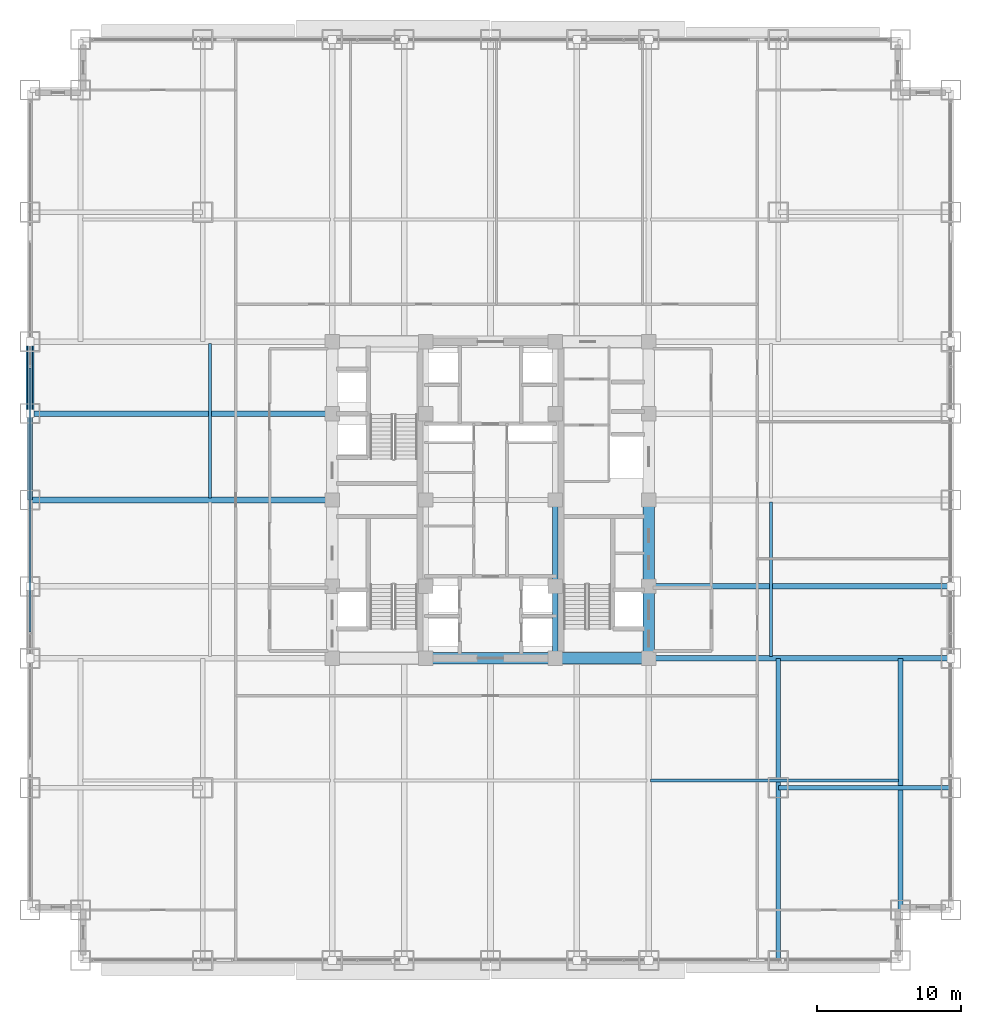
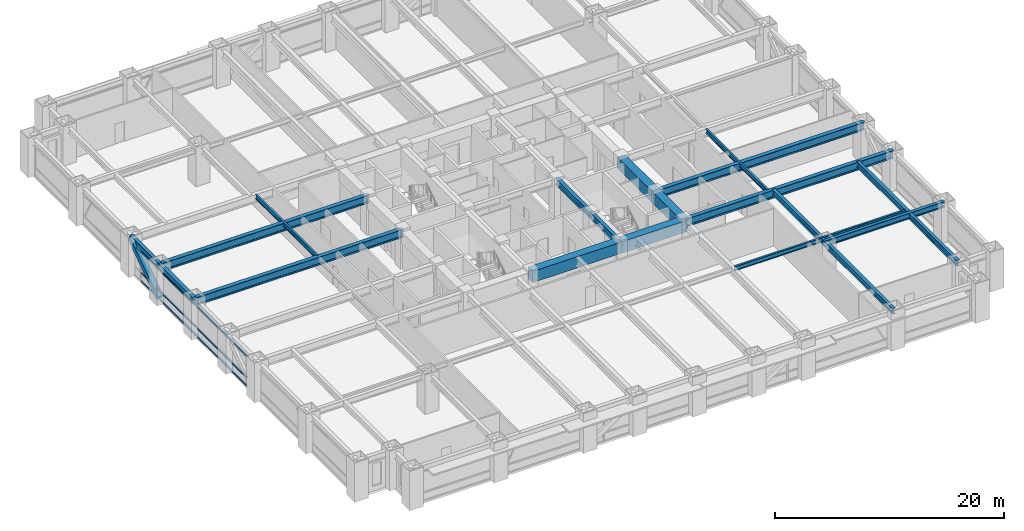
# One storey, part 11 of 31: 18 beams, 4 members, 1 element without a shape of its own.
"""IFC4 building model written with IfcOpenShell, lengths in metres."""

import ifcopenshell
import ifcopenshell.guid

model = None  # the IFC model being written
_history = None  # IfcOwnerHistory: only IFC2X3 demands one
_inside = {}  # id of a spatial element -> (the spatial element, [elements in it])
_under = {}  # id of a project, library or spatial element -> (it, [spatial elements below it])
_declared = {}  # id of a project -> (the project, [libraries it declares])
_typed = {}  # id of a type object -> (the type object, [elements of that type])
_made_of = {}  # id of a material, layer set ... -> (it, [elements and type objects made of it])


def new_model(schema):
    """Start an empty IFC model of exactly this schema.

    Asked for "IFC4X3", IfcOpenShell would pick the latest addendum, in which some entities
    have other attributes; the version numbers below select the first issue.
    IFC2X3 requires an IfcOwnerHistory on every rooted entity: one is made here for all.
    """
    global model, _history
    if schema == "IFC4X3":
        model = ifcopenshell.file(schema_version=(4, 3, 0, 0))
    else:
        model = ifcopenshell.file(schema=schema)
    _inside.clear()
    _under.clear()
    _declared.clear()
    _typed.clear()
    _made_of.clear()
    _history = None
    if model.schema == "IFC2X3":
        org = make("IfcOrganization", Name="unknown")
        user = make(
            "IfcPersonAndOrganization",
            ThePerson=make("IfcPerson", FamilyName="unknown"),
            TheOrganization=org,
        )
        app = make(
            "IfcApplication",
            ApplicationDeveloper=org,
            Version="unknown",
            ApplicationFullName="unknown",
            ApplicationIdentifier="unknown",
        )
        _history = make(
            "IfcOwnerHistory",
            OwningUser=user,
            OwningApplication=app,
            ChangeAction="ADDED",
            CreationDate=0,
        )
    return model


def make(cls, **values):
    """One entity of the class cls with the attributes given. An attribute that is None is left unset."""
    return model.create_entity(
        cls, **{name: value for name, value in values.items() if value is not None}
    )


def rooted(cls, **values):
    """An entity with a GlobalId (a new one), such as an element, a storey or a relation."""
    return make(cls, GlobalId=ifcopenshell.guid.new(), OwnerHistory=_history, **values)


def si_unit(unit_type, name, prefix=None):
    """IfcSIUnit, for example si_unit("LENGTHUNIT", "METRE", prefix="MILLI")."""
    return make("IfcSIUnit", UnitType=unit_type, Prefix=prefix, Name=name)


def assignment(units):
    """IfcUnitAssignment: the units of a project."""
    return None if units is None else make("IfcUnitAssignment", Units=units)


def point(xyz):
    """IfcCartesianPoint."""
    return None if xyz is None else make("IfcCartesianPoint", Coordinates=xyz)


def direction(xyz):
    """IfcDirection."""
    return None if xyz is None else make("IfcDirection", DirectionRatios=xyz)


def frame(location, z_axis=None, x_axis=None):
    """IfcAxis2Placement3D, a coordinate frame: its origin and axes. An axis left out is left unset."""
    return make(
        "IfcAxis2Placement3D",
        Location=point(location),
        Axis=direction(z_axis),
        RefDirection=direction(x_axis),
    )


def frame_2d(location, x_axis=None):
    """IfcAxis2Placement2D, a coordinate frame in the plane: its origin and x axis."""
    return make(
        "IfcAxis2Placement2D", Location=point(location), RefDirection=direction(x_axis)
    )


def origin():
    """The frame at (0, 0, 0) with its axes left unset."""
    return frame((0.0, 0.0, 0.0))


def origin_2d():
    """The frame at (0, 0) in the plane with its x axis left unset."""
    return frame_2d((0.0, 0.0))


def place(relative_to, where):
    """IfcLocalPlacement: puts the frame where relative to a parent placement (None: the world)."""
    return make(
        "IfcLocalPlacement", PlacementRelTo=relative_to, RelativePlacement=where
    )


def context(
    kind, dimensions, precision=None, world=None, true_north=None, identifier=None
):
    """IfcGeometricRepresentationContext, for example the 3D "Model" context."""
    return make(
        "IfcGeometricRepresentationContext",
        ContextIdentifier=identifier,
        ContextType=kind,
        CoordinateSpaceDimension=dimensions,
        Precision=precision,
        WorldCoordinateSystem=world,
        TrueNorth=true_north,
    )


def subcontext(parent, identifier, kind, view, scale=None):
    """IfcGeometricRepresentationSubContext, for example "Body" below "Model"."""
    return make(
        "IfcGeometricRepresentationSubContext",
        ContextIdentifier=identifier,
        ContextType=kind,
        ParentContext=parent,
        TargetScale=scale,
        TargetView=view,
    )


def project(units=None, contexts=None):
    """IfcProject with its units and contexts."""
    return rooted(
        "IfcProject",
        Name="project",
        RepresentationContexts=contexts,
        UnitsInContext=assignment(units),
    )


def spatial(cls, under=None, at=None, **own):
    """A site, building, storey or space (cls), placed at a placement, below another one or the project."""
    s = rooted(cls, ObjectPlacement=at, **own)
    if under is not None:
        _under.setdefault(under.id(), (under, []))[1].append(s)
    return s


def profile(cls, at=None, kind="AREA", **sizes):
    """A parametric profile (cls). Its sizes go by their IFC names, for example OverallWidth=200.0."""
    return make(cls, ProfileType=kind, Position=at, **sizes)


def rectangle(**sizes):
    """IfcRectangleProfileDef."""
    return profile("IfcRectangleProfileDef", **sizes)


def hollow_rectangle(**sizes):
    """IfcRectangleHollowProfileDef."""
    return profile("IfcRectangleHollowProfileDef", **sizes)


def i_section(**sizes):
    """IfcIShapeProfileDef."""
    return profile("IfcIShapeProfileDef", **sizes)


def extrude(swept, where, along, depth):
    """IfcExtrudedAreaSolid: the profile swept, set in the frame where, extruded along a direction by depth."""
    return make(
        "IfcExtrudedAreaSolid",
        SweptArea=swept,
        Position=where,
        ExtrudedDirection=direction(along),
        Depth=depth,
    )


def shape(context_of_items, identifier, shape_type, items):
    """IfcShapeRepresentation: the items that make up one representation, for example the "Body"."""
    return make(
        "IfcShapeRepresentation",
        ContextOfItems=context_of_items,
        RepresentationIdentifier=identifier,
        RepresentationType=shape_type,
        Items=items,
    )


def source(mapping_origin, context_of_items, identifier, shape_type, items):
    """IfcRepresentationMap: a shape defined once, which mapped items show again and again."""
    return make(
        "IfcRepresentationMap",
        MappingOrigin=mapping_origin,
        MappedRepresentation=shape(context_of_items, identifier, shape_type, items),
    )


def transform(
    local_origin,
    x_axis=None,
    y_axis=None,
    z_axis=None,
    scale=None,
    scale2=None,
    scale3=None,
    uniform=True,
):
    """IfcCartesianTransformationOperator3D, or its non-uniform kind. x_axis, y_axis, z_axis: its Axis1, 2, 3."""
    if uniform:
        return make(
            "IfcCartesianTransformationOperator3D",
            Axis1=direction(x_axis),
            Axis2=direction(y_axis),
            LocalOrigin=point(local_origin),
            Scale=scale,
            Axis3=direction(z_axis),
        )
    return make(
        "IfcCartesianTransformationOperator3DnonUniform",
        Axis1=direction(x_axis),
        Axis2=direction(y_axis),
        LocalOrigin=point(local_origin),
        Scale=scale,
        Axis3=direction(z_axis),
        Scale2=scale2,
        Scale3=scale3,
    )


def mapped(mapping_source, mapping_target):
    """IfcMappedItem: shows the shape of a source again, moved by a transform."""
    return make(
        "IfcMappedItem", MappingSource=mapping_source, MappingTarget=mapping_target
    )


def material(Name=None, Category=None):
    """IfcMaterial."""
    return make("IfcMaterial", Name=Name, Category=Category)


def material_profile(
    of_material, cross_section, Name=None, Category=None, Priority=None
):
    """IfcMaterialProfile: a cross section and its material."""
    return make(
        "IfcMaterialProfile",
        Name=Name,
        Material=of_material,
        Profile=cross_section,
        Priority=Priority,
        Category=Category,
    )


def profile_set(profiles, Name=None, composite=None):
    """IfcMaterialProfileSet."""
    return make(
        "IfcMaterialProfileSet",
        Name=Name,
        MaterialProfiles=profiles,
        CompositeProfile=composite,
    )


def made_of(thing, what):
    """Note that an element or type object is made of a material, layer set ...; save() writes the relation."""
    if what is not None:
        _made_of.setdefault(what.id(), (what, []))[1].append(thing)
    return thing


def type_object(cls, material=None, **own):
    """A type object (cls), such as IfcWallType, which elements share."""
    return made_of(rooted(cls, **own), material)


def element(
    cls,
    number,
    at=None,
    inside=None,
    cuts=None,
    type_object=None,
    material=None,
    context=None,
    identifier="Body",
    shape_type=None,
    held_by="IfcProductDefinitionShape",
    body=None,
    shapes=None,
    **own,
):
    """One element of the class cls, such as IfcWall. Its Tag is "e" and its number.

    at: its placement. inside: the storey or other place that contains it. cuts: it is an
    opening in that element (IfcRelVoidsElement). A single representation is given by context,
    identifier, shape_type and body (its items); several are given by shapes. held_by: the class
    of the entity that holds the representations. save() writes the other relations.
    """
    e = rooted(cls, Tag="e%d" % number, ObjectPlacement=at, **own)
    if body is not None:
        shapes = [shape(context, identifier, shape_type, body)]
    if shapes is not None:
        e.Representation = make(held_by, Representations=shapes)
    if inside is not None:
        _inside.setdefault(inside.id(), (inside, []))[1].append(e)
    if cuts is not None:
        rooted(
            "IfcRelVoidsElement", RelatingBuildingElement=cuts, RelatedOpeningElement=e
        )
    if type_object is not None:
        _typed.setdefault(type_object.id(), (type_object, []))[1].append(e)
    return made_of(e, material)


def aggregate(whole, parts):
    """IfcRelAggregates: a whole, such as a stair, and the parts it consists of."""
    return rooted("IfcRelAggregates", RelatingObject=whole, RelatedObjects=parts)


def save(model, path):
    """Write the relations noted so far, then the file.

    IfcRelAggregates (storeys below a building ...), IfcRelContainedInSpatialStructure (elements
    in a storey), IfcRelDefinesByType, IfcRelAssociatesMaterial and IfcRelDeclares: one each for
    every whole, place, type object, material and project.
    """
    for whole, parts in _under.values():
        aggregate(whole, parts)
    for where, things in _inside.values():
        rooted(
            "IfcRelContainedInSpatialStructure",
            RelatedElements=things,
            RelatingStructure=where,
        )
    for kind, things in _typed.values():
        rooted("IfcRelDefinesByType", RelatedObjects=things, RelatingType=kind)
    for what, things in _made_of.values():
        rooted("IfcRelAssociatesMaterial", RelatedObjects=things, RelatingMaterial=what)
    for by, libraries in _declared.values():
        rooted("IfcRelDeclares", RelatingContext=by, RelatedDefinitions=libraries)
    model.write(path)


model = new_model("IFC4")

# Units and contexts
model_context = context("Model", 3, precision=1e-05, world=origin(), true_north=direction((0.0, 1.0)))
body_context = subcontext(model_context, "Body", "Model", "MODEL_VIEW")
ifc_project = project(units=[si_unit("LENGTHUNIT", "METRE"), si_unit("AREAUNIT", "SQUARE_METRE"), si_unit("VOLUMEUNIT", "CUBIC_METRE"), si_unit("PLANEANGLEUNIT", "RADIAN"), si_unit("MASSUNIT", "GRAM", prefix="KILO")], contexts=[model_context])

# Site, building, storey
site_placement = place(None, origin())
site = spatial("IfcSite", under=ifc_project, at=site_placement, CompositionType="ELEMENT")
building_placement = place(site_placement, origin())
building = spatial("IfcBuilding", under=site, at=building_placement, Name="Khorayat Bourse Tower", CompositionType="ELEMENT")
storey_placement = place(building_placement, frame((0.0, 0.0, 41.0)))
storey = spatial("IfcBuildingStorey", under=building, at=storey_placement, Name="L08", CompositionType="ELEMENT", Elevation=41.0)

# Beams
ifc_material_1 = material(Name="Concrete C72/90", Category="concrete")
ifc_material_profile_1 = material_profile(ifc_material_1, rectangle(XDim=0.800048828125, YDim=1.199951171875, at=origin_2d()), Name="RC 800x1200")
ifc_profile_set_1 = profile_set([ifc_material_profile_1], Name="Concrete C72/90")
beam_type_1 = type_object("IfcBeamType", Name="BM-COUP-1200", PredefinedType="BEAM", material=ifc_profile_set_1)
shared_shape_1 = source(origin(), body_context, "Body", "SweptSolid", [
    extrude(rectangle(XDim=0.800048828125, YDim=1.199951171875, at=origin_2d()), origin(), (0.0, 0.0, 1.0), 5.0),
])
beam_1_placement = place(storey_placement, frame((11.0, -11.0, 3.340087890625), z_axis=(0.0, 1.0, 0.0), x_axis=(-1.0, 0.0, 0.0)))
element("IfcBeam", 1, at=beam_1_placement, inside=storey, type_object=beam_type_1, Name="L08 BM-COUP-1200 BM-L08-CRX-13", PredefinedType="BEAM", context=body_context, shape_type="MappedRepresentation", body=[
    mapped(shared_shape_1, transform((0.0, 0.0, 0.0), scale=1.0)),
])
shared_shape_2 = source(origin(), body_context, "Body", "SweptSolid", [
    extrude(rectangle(XDim=0.800048828125, YDim=1.199951171875, at=origin_2d()), origin(), (0.0, 0.0, 1.0), 6.0),
])
beam_2_placement = place(storey_placement, frame((11.0, -6.0, 3.340087890625), z_axis=(0.0, 1.0, 0.0), x_axis=(-1.0, 0.0, 0.0)))
element("IfcBeam", 2, at=beam_2_placement, inside=storey, type_object=beam_type_1, Name="L08 BM-COUP-1200 BM-L08-CRX-14", PredefinedType="BEAM", context=body_context, shape_type="MappedRepresentation", body=[
    mapped(shared_shape_2, transform((0.0, 0.0, 0.0), scale=1.0)),
])
ifc_material_2 = material(Name="Steel ASTM A992 Grade 50", Category="steel")
ifc_material_profile_2 = material_profile(ifc_material_2, i_section(OverallWidth=0.35498046875, OverallDepth=0.695068359375, WebThickness=0.015380859375, FlangeThickness=0.02490234375, FilletRadius=0.01806640625, at=origin_2d()), Name="W690X217")
ifc_profile_set_2 = profile_set([ifc_material_profile_2], Name="Steel ASTM A992 Grade 50")
beam_type_2 = type_object("IfcBeamType", Name="BM-GIRD-690", PredefinedType="BEAM", material=ifc_profile_set_2)
shared_shape_3 = source(origin(), body_context, "Body", "SweptSolid", [
    extrude(i_section(OverallWidth=0.35498046875, OverallDepth=0.695068359375, WebThickness=0.015380859375, FlangeThickness=0.02490234375, FilletRadius=0.01806640625, at=origin_2d()), origin(), (0.0, 0.0, 1.0), 5.0),
])
beam_3_placement = place(storey_placement, frame((4.5, -11.0, 3.592529296875), z_axis=(0.0, 1.0, 0.0), x_axis=(-1.0, 0.0, 0.0)))
element("IfcBeam", 3, at=beam_3_placement, inside=storey, type_object=beam_type_2, Name="L08 BM-GIRD-690 BM-L08-CRX-09", PredefinedType="BEAM", context=body_context, shape_type="MappedRepresentation", body=[
    mapped(shared_shape_3, transform((0.0, 0.0, 0.0), scale=1.0)),
])
shared_shape_4 = source(origin(), body_context, "Body", "SweptSolid", [
    extrude(i_section(OverallWidth=0.35498046875, OverallDepth=0.695068359375, WebThickness=0.015380859375, FlangeThickness=0.02490234375, FilletRadius=0.01806640625, at=origin_2d()), origin(), (0.0, 0.0, 1.0), 6.0),
])
beam_4_placement = place(storey_placement, frame((4.5, -6.0, 3.592529296875), z_axis=(0.0, 1.0, 0.0), x_axis=(-1.0, 0.0, 0.0)))
element("IfcBeam", 4, at=beam_4_placement, inside=storey, type_object=beam_type_2, Name="L08 BM-GIRD-690 BM-L08-CRX-10", PredefinedType="BEAM", context=body_context, shape_type="MappedRepresentation", body=[
    mapped(shared_shape_4, transform((0.0, 0.0, 0.0), scale=1.0)),
])
shared_shape_5 = source(origin(), body_context, "Body", "SweptSolid", [
    extrude(rectangle(XDim=0.800048828125, YDim=1.199951171875, at=origin_2d()), origin(), (0.0, 0.0, 1.0), 6.5),
])
beam_5_placement = place(storey_placement, frame((4.5, -11.0, 3.340087890625), z_axis=(1.0, 0.0, 0.0), x_axis=(0.0, 1.0, 0.0)))
element("IfcBeam", 5, at=beam_5_placement, inside=storey, type_object=beam_type_1, Name="L08 BM-COUP-1200 BM-L08-CRY-19", PredefinedType="BEAM", context=body_context, shape_type="MappedRepresentation", body=[
    mapped(shared_shape_5, transform((0.0, 0.0, 0.0), scale=1.0)),
])
shared_shape_6 = source(origin(), body_context, "Body", "SweptSolid", [
    extrude(rectangle(XDim=0.800048828125, YDim=1.199951171875, at=origin_2d()), origin(), (0.0, 0.0, 1.0), 9.0),
])
beam_6_placement = place(storey_placement, frame((-4.5, -11.0, 3.340087890625), z_axis=(1.0, 0.0, 0.0), x_axis=(0.0, 1.0, 0.0)))
element("IfcBeam", 6, at=beam_6_placement, inside=storey, type_object=beam_type_1, Name="L08 BM-COUP-1200 BM-L08-CRY-18", PredefinedType="BEAM", context=body_context, shape_type="MappedRepresentation", body=[
    mapped(shared_shape_6, transform((0.0, 0.0, 0.0), scale=1.0)),
])
ifc_material_profile_3 = material_profile(ifc_material_2, i_section(OverallWidth=0.35498046875, OverallDepth=0.695068359375, WebThickness=0.015380859375, FlangeThickness=0.02490234375, FilletRadius=0.01806640625, at=origin_2d()), Name="W690X217")
ifc_profile_set_3 = profile_set([ifc_material_profile_3], Name="Steel ASTM A992 Grade 50")
beam_type_3 = type_object("IfcBeamType", Name="BM-SPAN-690", PredefinedType="SPANDREL", material=ifc_profile_set_3)
shared_shape_7 = source(origin(), body_context, "Body", "SweptSolid", [
    extrude(i_section(OverallWidth=0.35498046875, OverallDepth=0.695068359375, WebThickness=0.015380859375, FlangeThickness=0.02490234375, FilletRadius=0.01806640625, at=origin_2d()), origin(), (0.0, 0.0, 1.0), 5.0),
])
beam_7_placement = place(storey_placement, frame((-32.0, 6.0, 3.592529296875), z_axis=(0.0, 1.0, 0.0), x_axis=(-1.0, 0.0, 0.0)))
element("IfcBeam", 7, at=beam_7_placement, inside=storey, type_object=beam_type_3, Name="L08 BM-SPAN-690 BM-L08-SPN-056", PredefinedType="SPANDREL", context=body_context, shape_type="MappedRepresentation", body=[
    mapped(shared_shape_7, transform((0.0, 0.0, 0.0), scale=1.0)),
])
shared_shape_8 = source(origin(), body_context, "Body", "SweptSolid", [
    extrude(i_section(OverallWidth=0.35498046875, OverallDepth=0.695068359375, WebThickness=0.015380859375, FlangeThickness=0.02490234375, FilletRadius=0.01806640625, at=origin_2d()), origin(), (0.0, 0.0, 1.0), 6.0),
])
beam_8_placement = place(storey_placement, frame((-32.0, 0.0, 3.592529296875), z_axis=(0.0, 1.0, 0.0), x_axis=(-1.0, 0.0, 0.0)))
element("IfcBeam", 8, at=beam_8_placement, inside=storey, type_object=beam_type_3, Name="L08 BM-SPAN-690 BM-L08-SPN-057", PredefinedType="SPANDREL", context=body_context, shape_type="MappedRepresentation", body=[
    mapped(shared_shape_8, transform((0.0, 0.0, 0.0), scale=1.0)),
])
ifc_material_profile_4 = material_profile(ifc_material_2, i_section(OverallWidth=0.39990234375, OverallDepth=0.85498046875, WebThickness=0.018310546875, FlangeThickness=0.029296875, FilletRadius=0.02001953125, at=origin_2d()), Name="W840X299")
ifc_profile_set_4 = profile_set([ifc_material_profile_4], Name="Steel ASTM A992 Grade 50")
beam_type_4 = type_object("IfcBeamType", Name="BM-GIRD-840", PredefinedType="BEAM", material=ifc_profile_set_4)
shared_shape_9 = source(origin(), body_context, "Body", "SweptSolid", [
    extrude(i_section(OverallWidth=0.39990234375, OverallDepth=0.85498046875, WebThickness=0.018310546875, FlangeThickness=0.029296875, FilletRadius=0.02001953125, at=origin_2d()), origin(), (0.0, 0.0, 1.0), 21.0),
])
for number, where, z_axis, x_axis, name in (
    (9, (11.0, -11.0, 3.512451171875), (1.0, 0.0, 0.0), (0.0, 1.0, 0.0), "L08 BM-GIRD-840 BM-L08-RADX-074"),
    (10, (11.0, -6.0, 3.512451171875), (1.0, 0.0, 0.0), (0.0, 1.0, 0.0), "L08 BM-GIRD-840 BM-L08-RADX-076"),
    (11, (-32.0, 0.0, 3.512451171875), (1.0, 0.0, 0.0), (0.0, 1.0, 0.0), "L08 BM-GIRD-840 BM-L08-RADX-079"),
    (12, (-32.0, 6.0, 3.512451171875), (1.0, 0.0, 0.0), (0.0, 1.0, 0.0), "L08 BM-GIRD-840 BM-L08-RADX-081"),
):
    element("IfcBeam", number, at=place(storey_placement, frame(where, z_axis=z_axis, x_axis=x_axis)), inside=storey, type_object=beam_type_4, Name=name, PredefinedType="BEAM", context=body_context, shape_type="MappedRepresentation", body=[
        mapped(shared_shape_9, transform((0.0, 0.0, 0.0), scale=1.0)),
    ])
ifc_material_profile_5 = material_profile(ifc_material_2, i_section(OverallWidth=0.324951171875, OverallDepth=0.615966796875, WebThickness=0.013916015625, FlangeThickness=0.021484375, FilletRadius=0.01611328125, at=origin_2d()), Name="W610X174")
ifc_profile_set_5 = profile_set([ifc_material_profile_5], Name="Steel ASTM A992 Grade 50")
beam_type_5 = type_object("IfcBeamType", Name="BM-GIRD-610", PredefinedType="BEAM", material=ifc_profile_set_5)
shared_shape_10 = source(origin(), body_context, "Body", "SweptSolid", [
    extrude(i_section(OverallWidth=0.324951171875, OverallDepth=0.615966796875, WebThickness=0.013916015625, FlangeThickness=0.021484375, FilletRadius=0.01611328125, at=origin_2d()), origin(), (0.0, 0.0, 1.0), 21.0),
])
beam_9_placement = place(storey_placement, frame((20.0, -32.0, 3.632080078125), z_axis=(0.0, 1.0, 0.0), x_axis=(-1.0, 0.0, 0.0)))
element("IfcBeam", 13, at=beam_9_placement, inside=storey, type_object=beam_type_5, Name="L08 BM-GIRD-610 BM-L08-CNRY-086", PredefinedType="BEAM", context=body_context, shape_type="MappedRepresentation", body=[
    mapped(shared_shape_10, transform((0.0, 0.0, 0.0), scale=1.0)),
])
shared_shape_11 = source(origin(), body_context, "Body", "SweptSolid", [
    extrude(i_section(OverallWidth=0.324951171875, OverallDepth=0.615966796875, WebThickness=0.013916015625, FlangeThickness=0.021484375, FilletRadius=0.01611328125, at=origin_2d()), origin(), (0.0, 0.0, 1.0), 17.5),
])
beam_10_placement = place(storey_placement, frame((28.5, -28.5, 3.632080078125), z_axis=(0.0, 1.0, 0.0), x_axis=(-1.0, 0.0, 0.0)))
element("IfcBeam", 14, at=beam_10_placement, inside=storey, type_object=beam_type_5, Name="L08 BM-GIRD-610 BM-L08-CNRY-090", PredefinedType="BEAM", context=body_context, shape_type="MappedRepresentation", body=[
    mapped(shared_shape_11, transform((0.0, 0.0, 0.0), scale=1.0)),
])
shared_shape_12 = source(origin(), body_context, "Body", "SweptSolid", [
    extrude(i_section(OverallWidth=0.324951171875, OverallDepth=0.615966796875, WebThickness=0.013916015625, FlangeThickness=0.021484375, FilletRadius=0.01611328125, at=origin_2d()), origin(), (0.0, 0.0, 1.0), 12.0),
])
beam_11_placement = place(storey_placement, frame((20.0, -20.0, 3.632080078125), z_axis=(1.0, 0.0, 0.0), x_axis=(0.0, 1.0, 0.0)))
element("IfcBeam", 15, at=beam_11_placement, inside=storey, type_object=beam_type_5, Name="L08 BM-GIRD-610 BM-L08-CNRX-092", PredefinedType="BEAM", context=body_context, shape_type="MappedRepresentation", body=[
    mapped(shared_shape_12, transform((0.0, 0.0, 0.0), scale=1.0)),
])
ifc_material_profile_6 = material_profile(ifc_material_2, i_section(OverallWidth=0.194091796875, OverallDepth=0.468994140625, WebThickness=0.0126953125, FlangeThickness=0.0205078125, FilletRadius=0.012939453125, at=origin_2d()), Name="W460X106")
ifc_profile_set_6 = profile_set([ifc_material_profile_6], Name="Steel ASTM A992 Grade 50")
beam_type_6 = type_object("IfcBeamType", Name="BM-JOIST-460", PredefinedType="JOIST", material=ifc_profile_set_6)
shared_shape_13 = source(origin(), body_context, "Body", "SweptSolid", [
    extrude(i_section(OverallWidth=0.194091796875, OverallDepth=0.468994140625, WebThickness=0.0126953125, FlangeThickness=0.0205078125, FilletRadius=0.012939453125, at=origin_2d()), origin(), (0.0, 0.0, 1.0), 17.240234375),
])
beam_12_placement = place(storey_placement, frame((11.1298828125, -19.5, 3.70556640625), z_axis=(1.0, 0.0, 0.0), x_axis=(0.0, 1.0, 0.0)))
element("IfcBeam", 16, at=beam_12_placement, inside=storey, type_object=beam_type_6, Name="L08 BM-JOIST-460 BM-L08-JSTX-098", PredefinedType="JOIST", context=body_context, shape_type="MappedRepresentation", body=[
    mapped(shared_shape_13, transform((0.0, 0.0, 0.0), scale=1.0)),
])
shared_shape_14 = source(origin(), body_context, "Body", "SweptSolid", [
    extrude(i_section(OverallWidth=0.194091796875, OverallDepth=0.468994140625, WebThickness=0.0126953125, FlangeThickness=0.0205078125, FilletRadius=0.012939453125, at=origin_2d()), origin(), (0.0, 0.0, 1.0), 10.740234375),
])
for number, where, z_axis, x_axis, name in (
    (17, (-19.5, 0.1298828125, 3.70556640625), (0.0, 1.0, 0.0), (-1.0, 0.0, 0.0), "L08 BM-JOIST-460 BM-L08-JSTY-103"),
    (18, (19.5, -10.8701171875, 3.70556640625), (0.0, 1.0, 0.0), (-1.0, 0.0, 0.0), "L08 BM-JOIST-460 BM-L08-JSTY-104"),
):
    element("IfcBeam", number, at=place(storey_placement, frame(where, z_axis=z_axis, x_axis=x_axis)), inside=storey, type_object=beam_type_6, Name=name, PredefinedType="JOIST", context=body_context, shape_type="MappedRepresentation", body=[
        mapped(shared_shape_14, transform((0.0, 0.0, 0.0), scale=1.0)),
    ])

# Member
ifc_material_3 = material(Name="Steel EN 10025-4 S460M", Category="steel")
ifc_material_profile_7 = material_profile(ifc_material_3, hollow_rectangle(XDim=0.550048828125, YDim=0.550048828125, WallThickness=0.031982421875, at=origin_2d()), Name="HSS 550x550x32")
ifc_profile_set_7 = profile_set([ifc_material_profile_7], Name="Steel EN 10025-4 S460M")
member_type_1 = type_object("IfcMemberType", Name="MBR-TUBE-550", PredefinedType="BRACE", material=ifc_profile_set_7)
shared_shape_15 = source(origin(), body_context, "Body", "SweptSolid", [
    extrude(hollow_rectangle(XDim=0.550048828125, YDim=0.550048828125, WallThickness=0.031982421875, at=origin_2d()), origin(), (0.0, 0.0, 1.0), 6.069091796875),
])
member_1_placement = place(storey_placement, frame((-32.0, 6.0, 0.25), z_axis=(0.0, 0.823854080622, 0.566801952928), x_axis=(-1.0, 0.0, 0.0)))
element("IfcMember", 19, at=member_1_placement, inside=storey, type_object=member_type_1, Name="L08 Perimeter Tube Brace 06", PredefinedType="BRACE", context=body_context, shape_type="MappedRepresentation", body=[
    mapped(shared_shape_15, transform((0.0, 0.0, 0.0), scale=1.0)),
])

# Curtain wall, members
ifc_material_4 = material(Name="Aluminium EN AW-6063 T6", Category="aluminium")
curtain_wall_type = type_object("IfcCurtainWallType", Name="CW-SYS-02", PredefinedType="NOTDEFINED", material=ifc_material_4)
curtain_wall_placement = place(storey_placement, origin())
curtain_wall = element("IfcCurtainWall", 20, at=curtain_wall_placement, inside=storey, type_object=curtain_wall_type, Name="L08 Curtain Wall CW-L08-W1", PredefinedType="NOTDEFINED")
ifc_material_profile_8 = material_profile(ifc_material_4, hollow_rectangle(XDim=0.139892578125, YDim=0.139892578125, WallThickness=0.006103515625, at=origin_2d()), Name="ALU 140x140x6")
ifc_profile_set_8 = profile_set([ifc_material_profile_8], Name="Aluminium EN AW-6063 T6")
member_type_2 = type_object("IfcMemberType", Name="CWT-HORZ-140", PredefinedType="USERDEFINED", material=ifc_profile_set_8)
shared_shape_16 = source(origin(), body_context, "Body", "SweptSolid", [
    extrude(hollow_rectangle(XDim=0.139892578125, YDim=0.139892578125, WallThickness=0.006103515625, at=origin_2d()), origin(), (0.0, 0.0, 1.0), 18.35986328125),
])
member_2_placement = place(storey_placement, frame((-32.0, -9.179931640625, 0.070068359375), z_axis=(0.0, 1.0, 0.0), x_axis=(-1.0, 0.0, 0.0)))
member_2 = element("IfcMember", 21, at=member_2_placement, type_object=member_type_2, Name="CW-L08-W1 Horizontal Transom 2-1", ObjectType="TRANSOM", PredefinedType="USERDEFINED", context=body_context, shape_type="MappedRepresentation", body=[
    mapped(shared_shape_16, transform((0.0, 0.0, 0.0), scale=1.0)),
])
member_3_placement = place(storey_placement, frame((-32.0, -9.179931640625, 0.949951171875), z_axis=(0.0, 1.0, 0.0), x_axis=(-1.0, 0.0, 0.0)))
member_3 = element("IfcMember", 22, at=member_3_placement, type_object=member_type_2, Name="CW-L08-W1 Horizontal Transom 2-2", ObjectType="TRANSOM", PredefinedType="USERDEFINED", context=body_context, shape_type="MappedRepresentation", body=[
    mapped(shared_shape_16, transform((0.0, 0.0, 0.0), scale=1.0)),
])
member_4_placement = place(storey_placement, frame((-32.0, -9.179931640625, 3.219970703125), z_axis=(0.0, 1.0, 0.0), x_axis=(-1.0, 0.0, 0.0)))
member_4 = element("IfcMember", 23, at=member_4_placement, type_object=member_type_2, Name="CW-L08-W1 Horizontal Transom 2-3", ObjectType="TRANSOM", PredefinedType="USERDEFINED", context=body_context, shape_type="MappedRepresentation", body=[
    mapped(shared_shape_16, transform((0.0, 0.0, 0.0), scale=1.0)),
])
aggregate(curtain_wall, [member_2, member_3, member_4])

save(model, "model.ifc")
